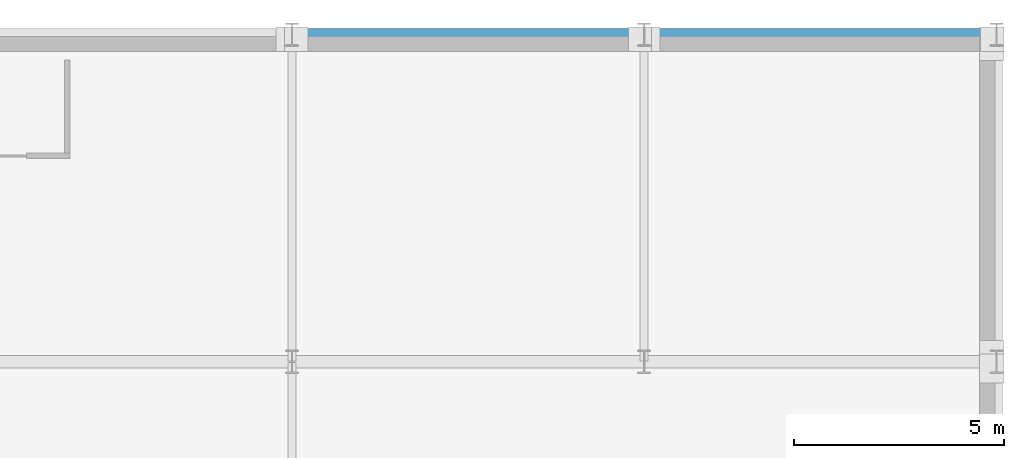
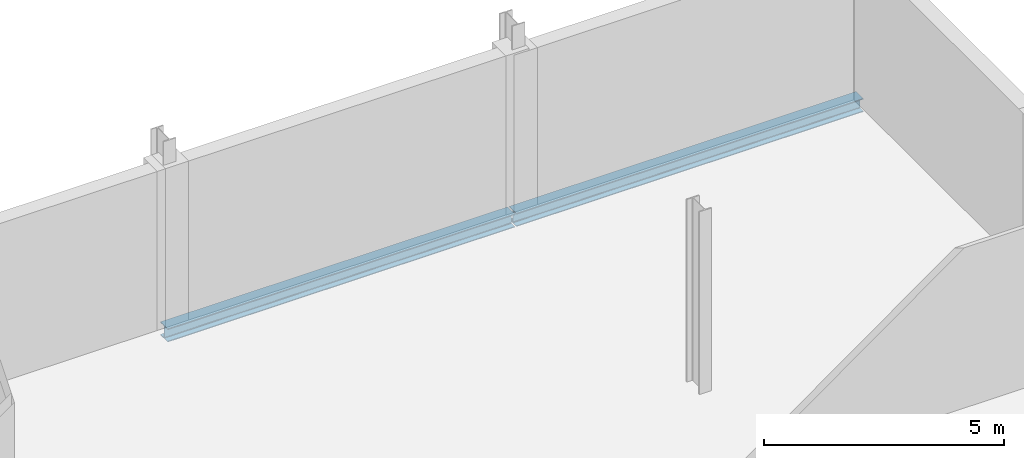
# One storey, part 60 of 98: 2 beams.
"""IFC4 building model written with IfcOpenShell, lengths in metres."""

from ifc_helpers import new_model, si_unit, direction, frame, origin, origin_2d, place, context, subcontext, project, spatial, i_section, extrude, material, material_profile, profile_set, type_object, element, save


model = new_model("IFC4")

# Units and contexts
model_context = context("Model", 3, precision=1e-05, world=origin(), true_north=direction((0.0, 1.0)))
body_context = subcontext(model_context, "Body", "Model", "MODEL_VIEW")
ifc_project = project(units=[si_unit("LENGTHUNIT", "METRE"), si_unit("AREAUNIT", "SQUARE_METRE"), si_unit("VOLUMEUNIT", "CUBIC_METRE"), si_unit("PLANEANGLEUNIT", "RADIAN"), si_unit("MASSUNIT", "GRAM", prefix="KILO")], contexts=[model_context])

# Site, building, storey
site_placement = place(None, origin())
site = spatial("IfcSite", under=ifc_project, at=site_placement, CompositionType="ELEMENT")
building_placement = place(site_placement, origin())
building = spatial("IfcBuilding", under=site, at=building_placement, Name="Nabrawat Pavilion Hospital", CompositionType="ELEMENT")
storey_placement = place(building_placement, frame((0.0, 0.0, 10.199951171875)))
storey = spatial("IfcBuildingStorey", under=building, at=storey_placement, Name="L02", CompositionType="ELEMENT", Elevation=10.199951171875)

# Beams
ifc_material = material(Name="Steel S355", Category="steel")
ifc_material_profile = material_profile(ifc_material, i_section(OverallWidth=0.300048828125, OverallDepth=0.340087890625, WebThickness=0.011962890625, FlangeThickness=0.021484375, FilletRadius=0.027099609375, at=origin_2d()), Name="HEB 340")
ifc_profile_set = profile_set([ifc_material_profile], Name="Steel S355")
beam_type = type_object("IfcBeamType", Name="Ward Perimeter Spandrel Beam HEB 340", PredefinedType="SPANDREL", material=ifc_profile_set)
beam_1_placement = place(storey_placement, frame((176.419921875, 124.800048828125, -0.419921875), z_axis=(1.0, 0.0, 0.0), x_axis=(0.0, 1.0, 0.0)))
element("IfcBeam", 1, at=beam_1_placement, inside=storey, type_object=beam_type, Name="L02 Primary X Girder 1170", PredefinedType="SPANDREL", context=body_context, shape_type="SweptSolid", body=[
    extrude(i_section(OverallWidth=0.300048828125, OverallDepth=0.340087890625, WebThickness=0.011962890625, FlangeThickness=0.021484375, FilletRadius=0.027099609375, at=origin_2d()), origin(), (0.0, 0.0, 1.0), 8.360107421875),
])
beam_2_placement = place(storey_placement, frame((184.820068359375, 124.800048828125, -0.419921875), z_axis=(1.0, 0.0, 0.0), x_axis=(0.0, 1.0, 0.0)))
element("IfcBeam", 2, at=beam_2_placement, inside=storey, type_object=beam_type, Name="L02 Primary X Girder 1171", PredefinedType="SPANDREL", context=body_context, shape_type="SweptSolid", body=[
    extrude(i_section(OverallWidth=0.300048828125, OverallDepth=0.340087890625, WebThickness=0.011962890625, FlangeThickness=0.021484375, FilletRadius=0.027099609375, at=origin_2d()), origin(), (0.0, 0.0, 1.0), 8.35986328125),
])

save(model, "model.ifc")
